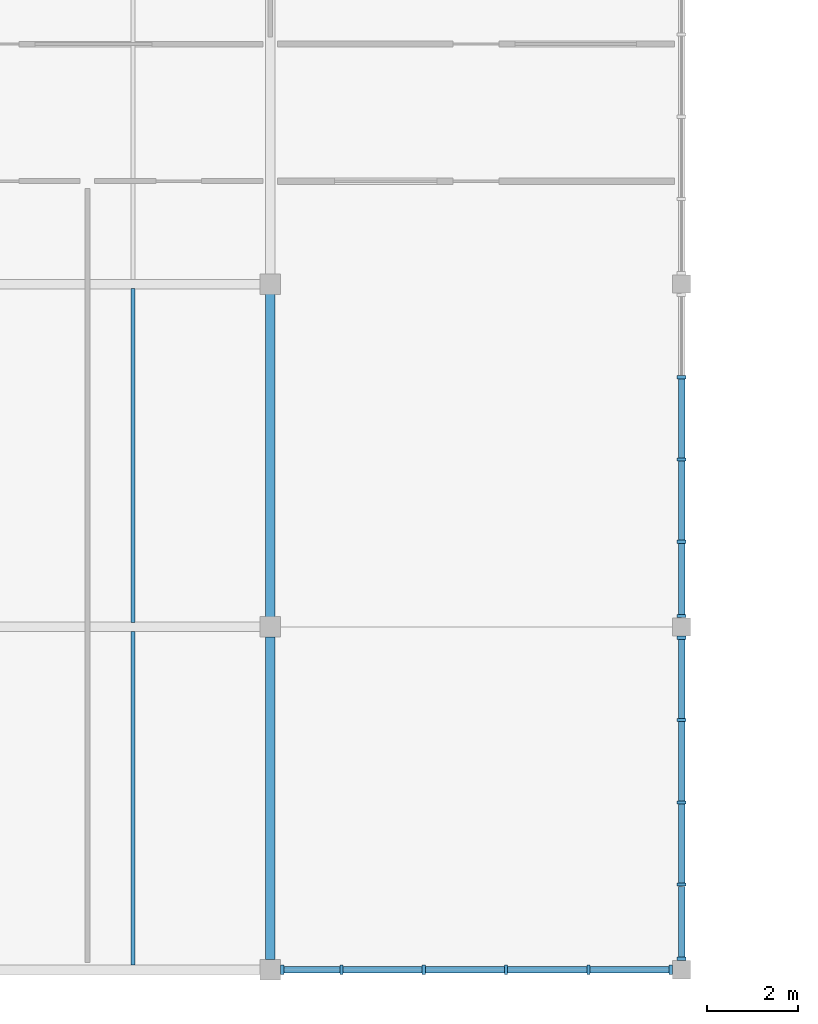
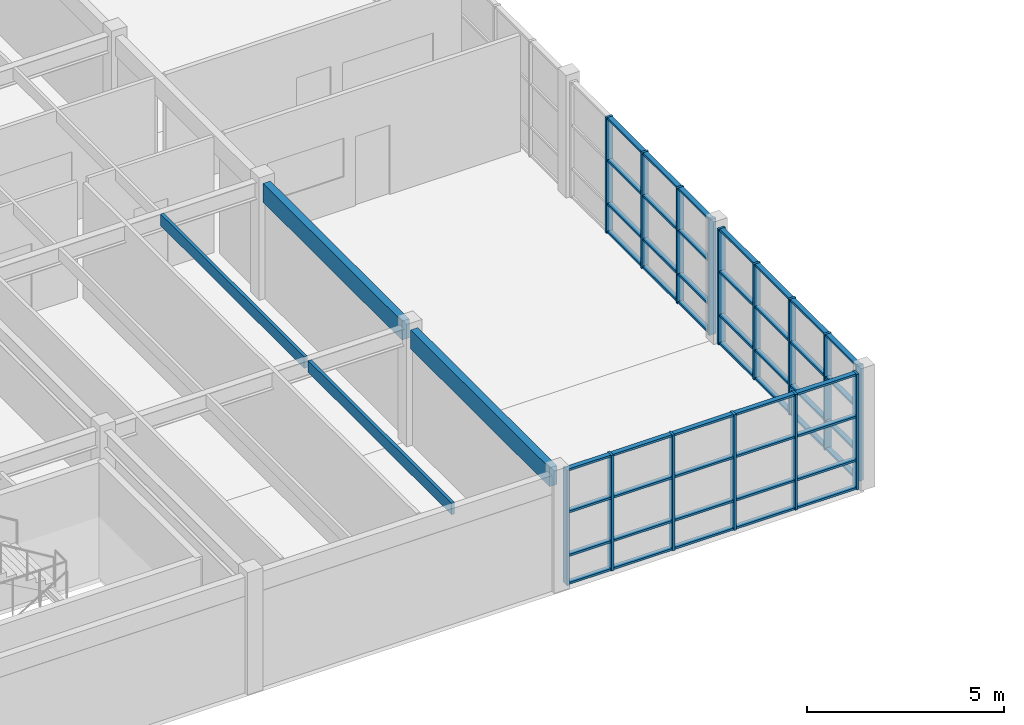
# One storey, part 5 of 45: 63 members, 4 beams, 3 elements without a shape of their own.
"""IFC4 building model written with IfcOpenShell, lengths in metres."""

from ifc_helpers import new_model, si_unit, direction, frame, origin, origin_2d, place, context, subcontext, project, spatial, rectangle, extrude, material, layer, layer_set, material_profile, profile_set, type_object, element, aggregate, save


model = new_model("IFC4")

# Units and contexts
model_context = context("Model", 3, precision=1e-05, world=origin(), true_north=direction((0.0, 1.0)))
body_context = subcontext(model_context, "Body", "Model", "MODEL_VIEW")
ifc_project = project(units=[si_unit("LENGTHUNIT", "METRE"), si_unit("AREAUNIT", "SQUARE_METRE"), si_unit("VOLUMEUNIT", "CUBIC_METRE"), si_unit("PLANEANGLEUNIT", "RADIAN"), si_unit("MASSUNIT", "GRAM", prefix="KILO")], contexts=[model_context])

# Site, building, storey
site_placement = place(None, origin())
site = spatial("IfcSite", under=ifc_project, at=site_placement, CompositionType="ELEMENT")
building_placement = place(site_placement, origin())
building = spatial("IfcBuilding", under=site, at=building_placement, Name="Marnridge Secondary College", CompositionType="ELEMENT")
storey_placement = place(building_placement, frame((0.0, 0.0, 12.300048828125)))
storey = spatial("IfcBuildingStorey", under=building, at=storey_placement, Name="L03", CompositionType="ELEMENT", Elevation=12.300048828125)

# Beams
ifc_material_1 = material(Name="Glulam timber GL18", Category="wood")
ifc_material_profile_1 = material_profile(ifc_material_1, rectangle(XDim=0.215087890625, YDim=0.5849609375, at=origin_2d()), Name="GL18 215x585")
ifc_profile_set_1 = profile_set([ifc_material_profile_1], Name="Glulam timber GL18")
beam_type_1 = type_object("IfcBeamType", Name="BM-GL585-EXT", PredefinedType="SPANDREL", material=ifc_profile_set_1)
for number, where, z_axis, x_axis, name in (
    (1, (36.0, 0.218994140625, 3.29736328125), (0.0, 1.0, 0.0), (-1.0, 0.0, 0.0), "Beam BS-L03-1142"),
    (2, (36.0, 7.718994140625, 3.29736328125), (0.0, 1.0, 0.0), (-1.0, 0.0, 0.0), "Beam BS-L03-1144"),
):
    element("IfcBeam", number, at=place(storey_placement, frame(where, z_axis=z_axis, x_axis=x_axis)), inside=storey, type_object=beam_type_1, Name=name, PredefinedType="SPANDREL", context=body_context, shape_type="SweptSolid", body=[
        extrude(rectangle(XDim=0.215087890625, YDim=0.5849609375, at=origin_2d()), origin(), (0.0, 0.0, 1.0), 7.06201171875),
    ])
ifc_material_2 = material(Name="Engineered timber LVL E13.2", Category="wood")
ifc_material_profile_2 = material_profile(ifc_material_2, rectangle(XDim=0.090087890625, YDim=0.360107421875, at=origin_2d()), Name="LVL 90x360")
ifc_profile_set_2 = profile_set([ifc_material_profile_2], Name="Engineered timber LVL E13.2")
beam_type_2 = type_object("IfcBeamType", Name="BM-LVL360-INT", PredefinedType="JOIST", material=ifc_profile_set_2)
beam_1_placement = place(storey_placement, frame((33.0, 0.1015625, 3.409912109375), z_axis=(0.0, 1.0, 0.0), x_axis=(-1.0, 0.0, 0.0)))
element("IfcBeam", 3, at=beam_1_placement, inside=storey, type_object=beam_type_2, Name="Beam BJ-L03-1176", PredefinedType="JOIST", context=body_context, shape_type="SweptSolid", body=[
    extrude(rectangle(XDim=0.090087890625, YDim=0.360107421875, at=origin_2d()), origin(), (0.0, 0.0, 1.0), 7.300048828125),
])
beam_2_placement = place(storey_placement, frame((33.0, 7.598388671875, 3.409912109375), z_axis=(0.0, 1.0, 0.0), x_axis=(-1.0, 0.0, 0.0)))
element("IfcBeam", 4, at=beam_2_placement, inside=storey, type_object=beam_type_2, Name="Beam BJ-L03-1178", PredefinedType="JOIST", context=body_context, shape_type="SweptSolid", body=[
    extrude(rectangle(XDim=0.090087890625, YDim=0.360107421875, at=origin_2d()), origin(), (0.0, 0.0, 1.0), 7.30322265625),
])

# Curtain wall, members
ifc_material_3 = material(Name="Bronze-anodised aluminium and solar-control glazing", Category="aluminium")
ifc_layer = layer(ifc_material_3, 0.199951171875)
ifc_layer_set = layer_set([ifc_layer], Name="CW-MOD-1800")
curtain_wall_type = type_object("IfcCurtainWallType", Name="CW-MOD-1800", PredefinedType="NOTDEFINED", material=ifc_layer_set)
curtain_wall_1_placement = place(storey_placement, origin())
curtain_wall_1 = element("IfcCurtainWall", 5, at=curtain_wall_1_placement, inside=storey, type_object=curtain_wall_type, Name="Unitised curtain wall CW-L03-132", PredefinedType="NOTDEFINED")
ifc_material_4 = material(Name="Bronze-anodised aluminium 6063-T6", Category="aluminium")
ifc_material_profile_3 = material_profile(ifc_material_4, rectangle(XDim=0.070068359375, YDim=0.199951171875, at=origin_2d()), Name="ALU 70x200")
ifc_profile_set_3 = profile_set([ifc_material_profile_3], Name="Bronze-anodised aluminium 6063-T6")
member_type_1 = type_object("IfcMemberType", Name="CWM-ALU200", PredefinedType="MULLION", material=ifc_profile_set_3)
member_1_placement = place(storey_placement, frame((45.0, 12.9609375, 0.0), z_axis=(0.0, 0.0, 1.0), x_axis=(0.0, -1.0, 0.0)))
member_1 = element("IfcMember", 6, at=member_1_placement, type_object=member_type_1, Name="CW-L03-132 mullion 2", PredefinedType="MULLION", context=body_context, shape_type="SweptSolid", body=[
    extrude(rectangle(XDim=0.070068359375, YDim=0.199951171875, at=origin_2d()), origin(), (0.0, 0.0, 1.0), 3.58984375),
])
member_2_placement = place(storey_placement, frame((45.0, 11.160888671875, 0.0), z_axis=(0.0, 0.0, 1.0), x_axis=(0.0, -1.0, 0.0)))
member_2 = element("IfcMember", 7, at=member_2_placement, type_object=member_type_1, Name="CW-L03-132 mullion 3", PredefinedType="MULLION", context=body_context, shape_type="SweptSolid", body=[
    extrude(rectangle(XDim=0.070068359375, YDim=0.199951171875, at=origin_2d()), origin(), (0.0, 0.0, 1.0), 3.58984375),
])
member_3_placement = place(storey_placement, frame((45.0, 9.361083984375, 0.0), z_axis=(0.0, 0.0, 1.0), x_axis=(0.0, -1.0, 0.0)))
member_3 = element("IfcMember", 8, at=member_3_placement, type_object=member_type_1, Name="CW-L03-132 mullion 4", PredefinedType="MULLION", context=body_context, shape_type="SweptSolid", body=[
    extrude(rectangle(XDim=0.070068359375, YDim=0.199951171875, at=origin_2d()), origin(), (0.0, 0.0, 1.0), 3.58984375),
])
member_4_placement = place(storey_placement, frame((45.0, 7.739013671875, 0.0), z_axis=(0.0, 0.0, 1.0), x_axis=(0.0, -1.0, 0.0)))
member_4 = element("IfcMember", 9, at=member_4_placement, type_object=member_type_1, Name="CW-L03-132 mullion 5", PredefinedType="MULLION", context=body_context, shape_type="SweptSolid", body=[
    extrude(rectangle(XDim=0.070068359375, YDim=0.199951171875, at=origin_2d()), origin(), (0.0, 0.0, 1.0), 3.58984375),
])

curtain_wall_2_placement = place(storey_placement, origin())
curtain_wall_2 = element("IfcCurtainWall", 10, at=curtain_wall_2_placement, inside=storey, type_object=curtain_wall_type, Name="Unitised curtain wall CW-L03-133", PredefinedType="NOTDEFINED")
member_5_placement = place(storey_placement, frame((45.0, 7.260986328125, 0.0), z_axis=(0.0, 0.0, 1.0), x_axis=(0.0, -1.0, 0.0)))
member_5 = element("IfcMember", 11, at=member_5_placement, type_object=member_type_1, Name="CW-L03-133 mullion 1", PredefinedType="MULLION", context=body_context, shape_type="SweptSolid", body=[
    extrude(rectangle(XDim=0.070068359375, YDim=0.199951171875, at=origin_2d()), origin(), (0.0, 0.0, 1.0), 3.58984375),
])
member_6_placement = place(storey_placement, frame((45.0, 5.4609375, 0.0), z_axis=(0.0, 0.0, 1.0), x_axis=(0.0, -1.0, 0.0)))
member_6 = element("IfcMember", 12, at=member_6_placement, type_object=member_type_1, Name="CW-L03-133 mullion 2", PredefinedType="MULLION", context=body_context, shape_type="SweptSolid", body=[
    extrude(rectangle(XDim=0.070068359375, YDim=0.199951171875, at=origin_2d()), origin(), (0.0, 0.0, 1.0), 3.58984375),
])
member_7_placement = place(storey_placement, frame((45.0, 3.660888671875, 0.0), z_axis=(0.0, 0.0, 1.0), x_axis=(0.0, -1.0, 0.0)))
member_7 = element("IfcMember", 13, at=member_7_placement, type_object=member_type_1, Name="CW-L03-133 mullion 3", PredefinedType="MULLION", context=body_context, shape_type="SweptSolid", body=[
    extrude(rectangle(XDim=0.070068359375, YDim=0.199951171875, at=origin_2d()), origin(), (0.0, 0.0, 1.0), 3.58984375),
])
member_8_placement = place(storey_placement, frame((45.0, 1.861083984375, 0.0), z_axis=(0.0, 0.0, 1.0), x_axis=(0.0, -1.0, 0.0)))
member_8 = element("IfcMember", 14, at=member_8_placement, type_object=member_type_1, Name="CW-L03-133 mullion 4", PredefinedType="MULLION", context=body_context, shape_type="SweptSolid", body=[
    extrude(rectangle(XDim=0.070068359375, YDim=0.199951171875, at=origin_2d()), origin(), (0.0, 0.0, 1.0), 3.58984375),
])
member_9_placement = place(storey_placement, frame((45.0, 0.239013671875, 0.0), z_axis=(0.0, 0.0, 1.0), x_axis=(0.0, -1.0, 0.0)))
member_9 = element("IfcMember", 15, at=member_9_placement, type_object=member_type_1, Name="CW-L03-133 mullion 5", PredefinedType="MULLION", context=body_context, shape_type="SweptSolid", body=[
    extrude(rectangle(XDim=0.070068359375, YDim=0.199951171875, at=origin_2d()), origin(), (0.0, 0.0, 1.0), 3.58984375),
])

curtain_wall_3_placement = place(storey_placement, origin())
curtain_wall_3 = element("IfcCurtainWall", 16, at=curtain_wall_3_placement, inside=storey, type_object=curtain_wall_type, Name="Unitised curtain wall CW-L03-134", PredefinedType="NOTDEFINED")
member_10_placement = place(storey_placement, frame((44.760986328125, 0.0, 0.0), z_axis=(0.0, 0.0, 1.0), x_axis=(-1.0, 0.0, 0.0)))
member_10 = element("IfcMember", 17, at=member_10_placement, type_object=member_type_1, Name="CW-L03-134 mullion 1", PredefinedType="MULLION", context=body_context, shape_type="SweptSolid", body=[
    extrude(rectangle(XDim=0.070068359375, YDim=0.199951171875, at=origin_2d()), origin(), (0.0, 0.0, 1.0), 3.58984375),
])
member_11_placement = place(storey_placement, frame((42.9609375, 0.0, 0.0), z_axis=(0.0, 0.0, 1.0), x_axis=(-1.0, 0.0, 0.0)))
member_11 = element("IfcMember", 18, at=member_11_placement, type_object=member_type_1, Name="CW-L03-134 mullion 2", PredefinedType="MULLION", context=body_context, shape_type="SweptSolid", body=[
    extrude(rectangle(XDim=0.070068359375, YDim=0.199951171875, at=origin_2d()), origin(), (0.0, 0.0, 1.0), 3.58984375),
])
member_12_placement = place(storey_placement, frame((41.160888671875, 0.0, 0.0), z_axis=(0.0, 0.0, 1.0), x_axis=(-1.0, 0.0, 0.0)))
member_12 = element("IfcMember", 19, at=member_12_placement, type_object=member_type_1, Name="CW-L03-134 mullion 3", PredefinedType="MULLION", context=body_context, shape_type="SweptSolid", body=[
    extrude(rectangle(XDim=0.070068359375, YDim=0.199951171875, at=origin_2d()), origin(), (0.0, 0.0, 1.0), 3.58984375),
])
member_13_placement = place(storey_placement, frame((39.361083984375, 0.0, 0.0), z_axis=(0.0, 0.0, 1.0), x_axis=(-1.0, 0.0, 0.0)))
member_13 = element("IfcMember", 20, at=member_13_placement, type_object=member_type_1, Name="CW-L03-134 mullion 4", PredefinedType="MULLION", context=body_context, shape_type="SweptSolid", body=[
    extrude(rectangle(XDim=0.070068359375, YDim=0.199951171875, at=origin_2d()), origin(), (0.0, 0.0, 1.0), 3.58984375),
])
member_14_placement = place(storey_placement, frame((37.56103515625, 0.0, 0.0), z_axis=(0.0, 0.0, 1.0), x_axis=(-1.0, 0.0, 0.0)))
member_14 = element("IfcMember", 21, at=member_14_placement, type_object=member_type_1, Name="CW-L03-134 mullion 5", PredefinedType="MULLION", context=body_context, shape_type="SweptSolid", body=[
    extrude(rectangle(XDim=0.070068359375, YDim=0.199951171875, at=origin_2d()), origin(), (0.0, 0.0, 1.0), 3.58984375),
])
member_15_placement = place(storey_placement, frame((36.263916015625, 0.0, 0.0), z_axis=(0.0, 0.0, 1.0), x_axis=(-1.0, 0.0, 0.0)))
member_15 = element("IfcMember", 22, at=member_15_placement, type_object=member_type_1, Name="CW-L03-134 mullion 6", PredefinedType="MULLION", context=body_context, shape_type="SweptSolid", body=[
    extrude(rectangle(XDim=0.070068359375, YDim=0.199951171875, at=origin_2d()), origin(), (0.0, 0.0, 1.0), 3.58984375),
])

# Member
ifc_material_5 = material(Name="Anodised aluminium 6063-T6", Category="aluminium")
ifc_material_profile_4 = material_profile(ifc_material_5, rectangle(XDim=0.06494140625, YDim=0.139892578125, at=origin_2d()), Name="ALU 65x140")
ifc_profile_set_4 = profile_set([ifc_material_profile_4], Name="Anodised aluminium 6063-T6")
member_type_2 = type_object("IfcMemberType", Name="CWT-ALU140", PredefinedType="USERDEFINED", material=ifc_profile_set_4)
member_16_placement = place(storey_placement, frame((45.0, 12.926025390625, 0.032470703125), z_axis=(0.0, -1.0, 0.0), x_axis=(0.0, 0.0, 1.0)))
member_16 = element("IfcMember", 23, at=member_16_placement, type_object=member_type_2, Name="CW-L03-132 transom 2.1", ObjectType="TRANSOM", PredefinedType="USERDEFINED", context=body_context, shape_type="SweptSolid", body=[
    extrude(rectangle(XDim=0.06494140625, YDim=0.139892578125, at=origin_2d()), origin(), (0.0, 0.0, 1.0), 1.72998046875),
])

member_17_placement = place(storey_placement, frame((45.0, 12.926025390625, 0.89990234375), z_axis=(0.0, -1.0, 0.0), x_axis=(0.0, 0.0, 1.0)))
member_17 = element("IfcMember", 24, at=member_17_placement, type_object=member_type_2, Name="CW-L03-132 transom 2.2", ObjectType="TRANSOM", PredefinedType="USERDEFINED", context=body_context, shape_type="SweptSolid", body=[
    extrude(rectangle(XDim=0.06494140625, YDim=0.139892578125, at=origin_2d()), origin(), (0.0, 0.0, 1.0), 1.72998046875),
])

member_18_placement = place(storey_placement, frame((45.0, 12.926025390625, 2.25), z_axis=(0.0, -1.0, 0.0), x_axis=(0.0, 0.0, 1.0)))
member_18 = element("IfcMember", 25, at=member_18_placement, type_object=member_type_2, Name="CW-L03-132 transom 2.3", ObjectType="TRANSOM", PredefinedType="USERDEFINED", context=body_context, shape_type="SweptSolid", body=[
    extrude(rectangle(XDim=0.06494140625, YDim=0.139892578125, at=origin_2d()), origin(), (0.0, 0.0, 1.0), 1.72998046875),
])

member_19_placement = place(storey_placement, frame((45.0, 12.926025390625, 3.557373046875), z_axis=(0.0, -1.0, 0.0), x_axis=(0.0, 0.0, 1.0)))
member_19 = element("IfcMember", 26, at=member_19_placement, type_object=member_type_2, Name="CW-L03-132 transom 2.4", ObjectType="TRANSOM", PredefinedType="USERDEFINED", context=body_context, shape_type="SweptSolid", body=[
    extrude(rectangle(XDim=0.06494140625, YDim=0.139892578125, at=origin_2d()), origin(), (0.0, 0.0, 1.0), 1.72998046875),
])

member_20_placement = place(storey_placement, frame((45.0, 11.1259765625, 0.032470703125), z_axis=(0.0, -1.0, 0.0), x_axis=(0.0, 0.0, 1.0)))
member_20 = element("IfcMember", 27, at=member_20_placement, type_object=member_type_2, Name="CW-L03-132 transom 3.1", ObjectType="TRANSOM", PredefinedType="USERDEFINED", context=body_context, shape_type="SweptSolid", body=[
    extrude(rectangle(XDim=0.06494140625, YDim=0.139892578125, at=origin_2d()), origin(), (0.0, 0.0, 1.0), 1.72998046875),
])

member_21_placement = place(storey_placement, frame((45.0, 11.1259765625, 0.89990234375), z_axis=(0.0, -1.0, 0.0), x_axis=(0.0, 0.0, 1.0)))
member_21 = element("IfcMember", 28, at=member_21_placement, type_object=member_type_2, Name="CW-L03-132 transom 3.2", ObjectType="TRANSOM", PredefinedType="USERDEFINED", context=body_context, shape_type="SweptSolid", body=[
    extrude(rectangle(XDim=0.06494140625, YDim=0.139892578125, at=origin_2d()), origin(), (0.0, 0.0, 1.0), 1.72998046875),
])

member_22_placement = place(storey_placement, frame((45.0, 11.1259765625, 2.25), z_axis=(0.0, -1.0, 0.0), x_axis=(0.0, 0.0, 1.0)))
member_22 = element("IfcMember", 29, at=member_22_placement, type_object=member_type_2, Name="CW-L03-132 transom 3.3", ObjectType="TRANSOM", PredefinedType="USERDEFINED", context=body_context, shape_type="SweptSolid", body=[
    extrude(rectangle(XDim=0.06494140625, YDim=0.139892578125, at=origin_2d()), origin(), (0.0, 0.0, 1.0), 1.72998046875),
])

member_23_placement = place(storey_placement, frame((45.0, 11.1259765625, 3.557373046875), z_axis=(0.0, -1.0, 0.0), x_axis=(0.0, 0.0, 1.0)))
member_23 = element("IfcMember", 30, at=member_23_placement, type_object=member_type_2, Name="CW-L03-132 transom 3.4", ObjectType="TRANSOM", PredefinedType="USERDEFINED", context=body_context, shape_type="SweptSolid", body=[
    extrude(rectangle(XDim=0.06494140625, YDim=0.139892578125, at=origin_2d()), origin(), (0.0, 0.0, 1.0), 1.72998046875),
])

member_24_placement = place(storey_placement, frame((45.0, 9.325927734375, 0.032470703125), z_axis=(0.0, -1.0, 0.0), x_axis=(0.0, 0.0, 1.0)))
member_24 = element("IfcMember", 31, at=member_24_placement, type_object=member_type_2, Name="CW-L03-132 transom 4.1", ObjectType="TRANSOM", PredefinedType="USERDEFINED", context=body_context, shape_type="SweptSolid", body=[
    extrude(rectangle(XDim=0.06494140625, YDim=0.139892578125, at=origin_2d()), origin(), (0.0, 0.0, 1.0), 1.552001953125),
])

member_25_placement = place(storey_placement, frame((45.0, 9.325927734375, 0.89990234375), z_axis=(0.0, -1.0, 0.0), x_axis=(0.0, 0.0, 1.0)))
member_25 = element("IfcMember", 32, at=member_25_placement, type_object=member_type_2, Name="CW-L03-132 transom 4.2", ObjectType="TRANSOM", PredefinedType="USERDEFINED", context=body_context, shape_type="SweptSolid", body=[
    extrude(rectangle(XDim=0.06494140625, YDim=0.139892578125, at=origin_2d()), origin(), (0.0, 0.0, 1.0), 1.552001953125),
])

member_26_placement = place(storey_placement, frame((45.0, 9.325927734375, 2.25), z_axis=(0.0, -1.0, 0.0), x_axis=(0.0, 0.0, 1.0)))
member_26 = element("IfcMember", 33, at=member_26_placement, type_object=member_type_2, Name="CW-L03-132 transom 4.3", ObjectType="TRANSOM", PredefinedType="USERDEFINED", context=body_context, shape_type="SweptSolid", body=[
    extrude(rectangle(XDim=0.06494140625, YDim=0.139892578125, at=origin_2d()), origin(), (0.0, 0.0, 1.0), 1.552001953125),
])

member_27_placement = place(storey_placement, frame((45.0, 9.325927734375, 3.557373046875), z_axis=(0.0, -1.0, 0.0), x_axis=(0.0, 0.0, 1.0)))
member_27 = element("IfcMember", 34, at=member_27_placement, type_object=member_type_2, Name="CW-L03-132 transom 4.4", ObjectType="TRANSOM", PredefinedType="USERDEFINED", context=body_context, shape_type="SweptSolid", body=[
    extrude(rectangle(XDim=0.06494140625, YDim=0.139892578125, at=origin_2d()), origin(), (0.0, 0.0, 1.0), 1.552001953125),
])

aggregate(curtain_wall_1, [member_1, member_2, member_3, member_4, member_16, member_17, member_18, member_19, member_20, member_21, member_22, member_23, member_24, member_25, member_26, member_27])

member_28_placement = place(storey_placement, frame((45.0, 7.22607421875, 0.032470703125), z_axis=(0.0, -1.0, 0.0), x_axis=(0.0, 0.0, 1.0)))
member_28 = element("IfcMember", 35, at=member_28_placement, type_object=member_type_2, Name="CW-L03-133 transom 1.1", ObjectType="TRANSOM", PredefinedType="USERDEFINED", context=body_context, shape_type="SweptSolid", body=[
    extrude(rectangle(XDim=0.06494140625, YDim=0.139892578125, at=origin_2d()), origin(), (0.0, 0.0, 1.0), 1.72998046875),
])

member_29_placement = place(storey_placement, frame((45.0, 7.22607421875, 0.89990234375), z_axis=(0.0, -1.0, 0.0), x_axis=(0.0, 0.0, 1.0)))
member_29 = element("IfcMember", 36, at=member_29_placement, type_object=member_type_2, Name="CW-L03-133 transom 1.2", ObjectType="TRANSOM", PredefinedType="USERDEFINED", context=body_context, shape_type="SweptSolid", body=[
    extrude(rectangle(XDim=0.06494140625, YDim=0.139892578125, at=origin_2d()), origin(), (0.0, 0.0, 1.0), 1.72998046875),
])

member_30_placement = place(storey_placement, frame((45.0, 7.22607421875, 2.25), z_axis=(0.0, -1.0, 0.0), x_axis=(0.0, 0.0, 1.0)))
member_30 = element("IfcMember", 37, at=member_30_placement, type_object=member_type_2, Name="CW-L03-133 transom 1.3", ObjectType="TRANSOM", PredefinedType="USERDEFINED", context=body_context, shape_type="SweptSolid", body=[
    extrude(rectangle(XDim=0.06494140625, YDim=0.139892578125, at=origin_2d()), origin(), (0.0, 0.0, 1.0), 1.72998046875),
])

member_31_placement = place(storey_placement, frame((45.0, 7.22607421875, 3.557373046875), z_axis=(0.0, -1.0, 0.0), x_axis=(0.0, 0.0, 1.0)))
member_31 = element("IfcMember", 38, at=member_31_placement, type_object=member_type_2, Name="CW-L03-133 transom 1.4", ObjectType="TRANSOM", PredefinedType="USERDEFINED", context=body_context, shape_type="SweptSolid", body=[
    extrude(rectangle(XDim=0.06494140625, YDim=0.139892578125, at=origin_2d()), origin(), (0.0, 0.0, 1.0), 1.72998046875),
])

member_32_placement = place(storey_placement, frame((45.0, 5.426025390625, 0.032470703125), z_axis=(0.0, -1.0, 0.0), x_axis=(0.0, 0.0, 1.0)))
member_32 = element("IfcMember", 39, at=member_32_placement, type_object=member_type_2, Name="CW-L03-133 transom 2.1", ObjectType="TRANSOM", PredefinedType="USERDEFINED", context=body_context, shape_type="SweptSolid", body=[
    extrude(rectangle(XDim=0.06494140625, YDim=0.139892578125, at=origin_2d()), origin(), (0.0, 0.0, 1.0), 1.72998046875),
])

member_33_placement = place(storey_placement, frame((45.0, 5.426025390625, 0.89990234375), z_axis=(0.0, -1.0, 0.0), x_axis=(0.0, 0.0, 1.0)))
member_33 = element("IfcMember", 40, at=member_33_placement, type_object=member_type_2, Name="CW-L03-133 transom 2.2", ObjectType="TRANSOM", PredefinedType="USERDEFINED", context=body_context, shape_type="SweptSolid", body=[
    extrude(rectangle(XDim=0.06494140625, YDim=0.139892578125, at=origin_2d()), origin(), (0.0, 0.0, 1.0), 1.72998046875),
])

member_34_placement = place(storey_placement, frame((45.0, 5.426025390625, 2.25), z_axis=(0.0, -1.0, 0.0), x_axis=(0.0, 0.0, 1.0)))
member_34 = element("IfcMember", 41, at=member_34_placement, type_object=member_type_2, Name="CW-L03-133 transom 2.3", ObjectType="TRANSOM", PredefinedType="USERDEFINED", context=body_context, shape_type="SweptSolid", body=[
    extrude(rectangle(XDim=0.06494140625, YDim=0.139892578125, at=origin_2d()), origin(), (0.0, 0.0, 1.0), 1.72998046875),
])

member_35_placement = place(storey_placement, frame((45.0, 5.426025390625, 3.557373046875), z_axis=(0.0, -1.0, 0.0), x_axis=(0.0, 0.0, 1.0)))
member_35 = element("IfcMember", 42, at=member_35_placement, type_object=member_type_2, Name="CW-L03-133 transom 2.4", ObjectType="TRANSOM", PredefinedType="USERDEFINED", context=body_context, shape_type="SweptSolid", body=[
    extrude(rectangle(XDim=0.06494140625, YDim=0.139892578125, at=origin_2d()), origin(), (0.0, 0.0, 1.0), 1.72998046875),
])

member_36_placement = place(storey_placement, frame((45.0, 3.6259765625, 0.032470703125), z_axis=(0.0, -1.0, 0.0), x_axis=(0.0, 0.0, 1.0)))
member_36 = element("IfcMember", 43, at=member_36_placement, type_object=member_type_2, Name="CW-L03-133 transom 3.1", ObjectType="TRANSOM", PredefinedType="USERDEFINED", context=body_context, shape_type="SweptSolid", body=[
    extrude(rectangle(XDim=0.06494140625, YDim=0.139892578125, at=origin_2d()), origin(), (0.0, 0.0, 1.0), 1.72998046875),
])

member_37_placement = place(storey_placement, frame((45.0, 3.6259765625, 0.89990234375), z_axis=(0.0, -1.0, 0.0), x_axis=(0.0, 0.0, 1.0)))
member_37 = element("IfcMember", 44, at=member_37_placement, type_object=member_type_2, Name="CW-L03-133 transom 3.2", ObjectType="TRANSOM", PredefinedType="USERDEFINED", context=body_context, shape_type="SweptSolid", body=[
    extrude(rectangle(XDim=0.06494140625, YDim=0.139892578125, at=origin_2d()), origin(), (0.0, 0.0, 1.0), 1.72998046875),
])

member_38_placement = place(storey_placement, frame((45.0, 3.6259765625, 2.25), z_axis=(0.0, -1.0, 0.0), x_axis=(0.0, 0.0, 1.0)))
member_38 = element("IfcMember", 45, at=member_38_placement, type_object=member_type_2, Name="CW-L03-133 transom 3.3", ObjectType="TRANSOM", PredefinedType="USERDEFINED", context=body_context, shape_type="SweptSolid", body=[
    extrude(rectangle(XDim=0.06494140625, YDim=0.139892578125, at=origin_2d()), origin(), (0.0, 0.0, 1.0), 1.72998046875),
])

member_39_placement = place(storey_placement, frame((45.0, 3.6259765625, 3.557373046875), z_axis=(0.0, -1.0, 0.0), x_axis=(0.0, 0.0, 1.0)))
member_39 = element("IfcMember", 46, at=member_39_placement, type_object=member_type_2, Name="CW-L03-133 transom 3.4", ObjectType="TRANSOM", PredefinedType="USERDEFINED", context=body_context, shape_type="SweptSolid", body=[
    extrude(rectangle(XDim=0.06494140625, YDim=0.139892578125, at=origin_2d()), origin(), (0.0, 0.0, 1.0), 1.72998046875),
])

member_40_placement = place(storey_placement, frame((45.0, 1.825927734375, 0.032470703125), z_axis=(0.0, -1.0, 0.0), x_axis=(0.0, 0.0, 1.0)))
member_40 = element("IfcMember", 47, at=member_40_placement, type_object=member_type_2, Name="CW-L03-133 transom 4.1", ObjectType="TRANSOM", PredefinedType="USERDEFINED", context=body_context, shape_type="SweptSolid", body=[
    extrude(rectangle(XDim=0.06494140625, YDim=0.139892578125, at=origin_2d()), origin(), (0.0, 0.0, 1.0), 1.552001953125),
])

member_41_placement = place(storey_placement, frame((45.0, 1.825927734375, 0.89990234375), z_axis=(0.0, -1.0, 0.0), x_axis=(0.0, 0.0, 1.0)))
member_41 = element("IfcMember", 48, at=member_41_placement, type_object=member_type_2, Name="CW-L03-133 transom 4.2", ObjectType="TRANSOM", PredefinedType="USERDEFINED", context=body_context, shape_type="SweptSolid", body=[
    extrude(rectangle(XDim=0.06494140625, YDim=0.139892578125, at=origin_2d()), origin(), (0.0, 0.0, 1.0), 1.552001953125),
])

member_42_placement = place(storey_placement, frame((45.0, 1.825927734375, 2.25), z_axis=(0.0, -1.0, 0.0), x_axis=(0.0, 0.0, 1.0)))
member_42 = element("IfcMember", 49, at=member_42_placement, type_object=member_type_2, Name="CW-L03-133 transom 4.3", ObjectType="TRANSOM", PredefinedType="USERDEFINED", context=body_context, shape_type="SweptSolid", body=[
    extrude(rectangle(XDim=0.06494140625, YDim=0.139892578125, at=origin_2d()), origin(), (0.0, 0.0, 1.0), 1.552001953125),
])

member_43_placement = place(storey_placement, frame((45.0, 1.825927734375, 3.557373046875), z_axis=(0.0, -1.0, 0.0), x_axis=(0.0, 0.0, 1.0)))
member_43 = element("IfcMember", 50, at=member_43_placement, type_object=member_type_2, Name="CW-L03-133 transom 4.4", ObjectType="TRANSOM", PredefinedType="USERDEFINED", context=body_context, shape_type="SweptSolid", body=[
    extrude(rectangle(XDim=0.06494140625, YDim=0.139892578125, at=origin_2d()), origin(), (0.0, 0.0, 1.0), 1.552001953125),
])

aggregate(curtain_wall_2, [member_5, member_6, member_7, member_8, member_9, member_28, member_29, member_30, member_31, member_32, member_33, member_34, member_35, member_36, member_37, member_38, member_39, member_40, member_41, member_42, member_43])

member_44_placement = place(storey_placement, frame((44.72607421875, 0.0, 0.032470703125), z_axis=(-1.0, 0.0, 0.0), x_axis=(0.0, 0.0, 1.0)))
member_44 = element("IfcMember", 51, at=member_44_placement, type_object=member_type_2, Name="CW-L03-134 transom 1.1", ObjectType="TRANSOM", PredefinedType="USERDEFINED", context=body_context, shape_type="SweptSolid", body=[
    extrude(rectangle(XDim=0.06494140625, YDim=0.139892578125, at=origin_2d()), origin(), (0.0, 0.0, 1.0), 1.72998046875),
])

member_45_placement = place(storey_placement, frame((44.72607421875, 0.0, 0.89990234375), z_axis=(-1.0, 0.0, 0.0), x_axis=(0.0, 0.0, 1.0)))
member_45 = element("IfcMember", 52, at=member_45_placement, type_object=member_type_2, Name="CW-L03-134 transom 1.2", ObjectType="TRANSOM", PredefinedType="USERDEFINED", context=body_context, shape_type="SweptSolid", body=[
    extrude(rectangle(XDim=0.06494140625, YDim=0.139892578125, at=origin_2d()), origin(), (0.0, 0.0, 1.0), 1.72998046875),
])

member_46_placement = place(storey_placement, frame((44.72607421875, 0.0, 2.25), z_axis=(-1.0, 0.0, 0.0), x_axis=(0.0, 0.0, 1.0)))
member_46 = element("IfcMember", 53, at=member_46_placement, type_object=member_type_2, Name="CW-L03-134 transom 1.3", ObjectType="TRANSOM", PredefinedType="USERDEFINED", context=body_context, shape_type="SweptSolid", body=[
    extrude(rectangle(XDim=0.06494140625, YDim=0.139892578125, at=origin_2d()), origin(), (0.0, 0.0, 1.0), 1.72998046875),
])

member_47_placement = place(storey_placement, frame((44.72607421875, 0.0, 3.557373046875), z_axis=(-1.0, 0.0, 0.0), x_axis=(0.0, 0.0, 1.0)))
member_47 = element("IfcMember", 54, at=member_47_placement, type_object=member_type_2, Name="CW-L03-134 transom 1.4", ObjectType="TRANSOM", PredefinedType="USERDEFINED", context=body_context, shape_type="SweptSolid", body=[
    extrude(rectangle(XDim=0.06494140625, YDim=0.139892578125, at=origin_2d()), origin(), (0.0, 0.0, 1.0), 1.72998046875),
])

member_48_placement = place(storey_placement, frame((42.926025390625, 0.0, 0.032470703125), z_axis=(-1.0, 0.0, 0.0), x_axis=(0.0, 0.0, 1.0)))
member_48 = element("IfcMember", 55, at=member_48_placement, type_object=member_type_2, Name="CW-L03-134 transom 2.1", ObjectType="TRANSOM", PredefinedType="USERDEFINED", context=body_context, shape_type="SweptSolid", body=[
    extrude(rectangle(XDim=0.06494140625, YDim=0.139892578125, at=origin_2d()), origin(), (0.0, 0.0, 1.0), 1.72998046875),
])

member_49_placement = place(storey_placement, frame((42.926025390625, 0.0, 0.89990234375), z_axis=(-1.0, 0.0, 0.0), x_axis=(0.0, 0.0, 1.0)))
member_49 = element("IfcMember", 56, at=member_49_placement, type_object=member_type_2, Name="CW-L03-134 transom 2.2", ObjectType="TRANSOM", PredefinedType="USERDEFINED", context=body_context, shape_type="SweptSolid", body=[
    extrude(rectangle(XDim=0.06494140625, YDim=0.139892578125, at=origin_2d()), origin(), (0.0, 0.0, 1.0), 1.72998046875),
])

member_50_placement = place(storey_placement, frame((42.926025390625, 0.0, 2.25), z_axis=(-1.0, 0.0, 0.0), x_axis=(0.0, 0.0, 1.0)))
member_50 = element("IfcMember", 57, at=member_50_placement, type_object=member_type_2, Name="CW-L03-134 transom 2.3", ObjectType="TRANSOM", PredefinedType="USERDEFINED", context=body_context, shape_type="SweptSolid", body=[
    extrude(rectangle(XDim=0.06494140625, YDim=0.139892578125, at=origin_2d()), origin(), (0.0, 0.0, 1.0), 1.72998046875),
])

member_51_placement = place(storey_placement, frame((42.926025390625, 0.0, 3.557373046875), z_axis=(-1.0, 0.0, 0.0), x_axis=(0.0, 0.0, 1.0)))
member_51 = element("IfcMember", 58, at=member_51_placement, type_object=member_type_2, Name="CW-L03-134 transom 2.4", ObjectType="TRANSOM", PredefinedType="USERDEFINED", context=body_context, shape_type="SweptSolid", body=[
    extrude(rectangle(XDim=0.06494140625, YDim=0.139892578125, at=origin_2d()), origin(), (0.0, 0.0, 1.0), 1.72998046875),
])

member_52_placement = place(storey_placement, frame((41.1259765625, 0.0, 0.032470703125), z_axis=(-1.0, 0.0, 0.0), x_axis=(0.0, 0.0, 1.0)))
member_52 = element("IfcMember", 59, at=member_52_placement, type_object=member_type_2, Name="CW-L03-134 transom 3.1", ObjectType="TRANSOM", PredefinedType="USERDEFINED", context=body_context, shape_type="SweptSolid", body=[
    extrude(rectangle(XDim=0.06494140625, YDim=0.139892578125, at=origin_2d()), origin(), (0.0, 0.0, 1.0), 1.72998046875),
])

member_53_placement = place(storey_placement, frame((41.1259765625, 0.0, 0.89990234375), z_axis=(-1.0, 0.0, 0.0), x_axis=(0.0, 0.0, 1.0)))
member_53 = element("IfcMember", 60, at=member_53_placement, type_object=member_type_2, Name="CW-L03-134 transom 3.2", ObjectType="TRANSOM", PredefinedType="USERDEFINED", context=body_context, shape_type="SweptSolid", body=[
    extrude(rectangle(XDim=0.06494140625, YDim=0.139892578125, at=origin_2d()), origin(), (0.0, 0.0, 1.0), 1.72998046875),
])

member_54_placement = place(storey_placement, frame((41.1259765625, 0.0, 2.25), z_axis=(-1.0, 0.0, 0.0), x_axis=(0.0, 0.0, 1.0)))
member_54 = element("IfcMember", 61, at=member_54_placement, type_object=member_type_2, Name="CW-L03-134 transom 3.3", ObjectType="TRANSOM", PredefinedType="USERDEFINED", context=body_context, shape_type="SweptSolid", body=[
    extrude(rectangle(XDim=0.06494140625, YDim=0.139892578125, at=origin_2d()), origin(), (0.0, 0.0, 1.0), 1.72998046875),
])

member_55_placement = place(storey_placement, frame((41.1259765625, 0.0, 3.557373046875), z_axis=(-1.0, 0.0, 0.0), x_axis=(0.0, 0.0, 1.0)))
member_55 = element("IfcMember", 62, at=member_55_placement, type_object=member_type_2, Name="CW-L03-134 transom 3.4", ObjectType="TRANSOM", PredefinedType="USERDEFINED", context=body_context, shape_type="SweptSolid", body=[
    extrude(rectangle(XDim=0.06494140625, YDim=0.139892578125, at=origin_2d()), origin(), (0.0, 0.0, 1.0), 1.72998046875),
])

member_56_placement = place(storey_placement, frame((39.325927734375, 0.0, 0.032470703125), z_axis=(-1.0, 0.0, 0.0), x_axis=(0.0, 0.0, 1.0)))
member_56 = element("IfcMember", 63, at=member_56_placement, type_object=member_type_2, Name="CW-L03-134 transom 4.1", ObjectType="TRANSOM", PredefinedType="USERDEFINED", context=body_context, shape_type="SweptSolid", body=[
    extrude(rectangle(XDim=0.06494140625, YDim=0.139892578125, at=origin_2d()), origin(), (0.0, 0.0, 1.0), 1.72998046875),
])

member_57_placement = place(storey_placement, frame((39.325927734375, 0.0, 0.89990234375), z_axis=(-1.0, 0.0, 0.0), x_axis=(0.0, 0.0, 1.0)))
member_57 = element("IfcMember", 64, at=member_57_placement, type_object=member_type_2, Name="CW-L03-134 transom 4.2", ObjectType="TRANSOM", PredefinedType="USERDEFINED", context=body_context, shape_type="SweptSolid", body=[
    extrude(rectangle(XDim=0.06494140625, YDim=0.139892578125, at=origin_2d()), origin(), (0.0, 0.0, 1.0), 1.72998046875),
])

member_58_placement = place(storey_placement, frame((39.325927734375, 0.0, 2.25), z_axis=(-1.0, 0.0, 0.0), x_axis=(0.0, 0.0, 1.0)))
member_58 = element("IfcMember", 65, at=member_58_placement, type_object=member_type_2, Name="CW-L03-134 transom 4.3", ObjectType="TRANSOM", PredefinedType="USERDEFINED", context=body_context, shape_type="SweptSolid", body=[
    extrude(rectangle(XDim=0.06494140625, YDim=0.139892578125, at=origin_2d()), origin(), (0.0, 0.0, 1.0), 1.72998046875),
])

member_59_placement = place(storey_placement, frame((39.325927734375, 0.0, 3.557373046875), z_axis=(-1.0, 0.0, 0.0), x_axis=(0.0, 0.0, 1.0)))
member_59 = element("IfcMember", 66, at=member_59_placement, type_object=member_type_2, Name="CW-L03-134 transom 4.4", ObjectType="TRANSOM", PredefinedType="USERDEFINED", context=body_context, shape_type="SweptSolid", body=[
    extrude(rectangle(XDim=0.06494140625, YDim=0.139892578125, at=origin_2d()), origin(), (0.0, 0.0, 1.0), 1.72998046875),
])

member_60_placement = place(storey_placement, frame((37.52587890625, 0.0, 0.032470703125), z_axis=(-1.0, 0.0, 0.0), x_axis=(0.0, 0.0, 1.0)))
member_60 = element("IfcMember", 67, at=member_60_placement, type_object=member_type_2, Name="CW-L03-134 transom 5.1", ObjectType="TRANSOM", PredefinedType="USERDEFINED", context=body_context, shape_type="SweptSolid", body=[
    extrude(rectangle(XDim=0.06494140625, YDim=0.139892578125, at=origin_2d()), origin(), (0.0, 0.0, 1.0), 1.226806640625),
])

member_61_placement = place(storey_placement, frame((37.52587890625, 0.0, 0.89990234375), z_axis=(-1.0, 0.0, 0.0), x_axis=(0.0, 0.0, 1.0)))
member_61 = element("IfcMember", 68, at=member_61_placement, type_object=member_type_2, Name="CW-L03-134 transom 5.2", ObjectType="TRANSOM", PredefinedType="USERDEFINED", context=body_context, shape_type="SweptSolid", body=[
    extrude(rectangle(XDim=0.06494140625, YDim=0.139892578125, at=origin_2d()), origin(), (0.0, 0.0, 1.0), 1.226806640625),
])

member_62_placement = place(storey_placement, frame((37.52587890625, 0.0, 2.25), z_axis=(-1.0, 0.0, 0.0), x_axis=(0.0, 0.0, 1.0)))
member_62 = element("IfcMember", 69, at=member_62_placement, type_object=member_type_2, Name="CW-L03-134 transom 5.3", ObjectType="TRANSOM", PredefinedType="USERDEFINED", context=body_context, shape_type="SweptSolid", body=[
    extrude(rectangle(XDim=0.06494140625, YDim=0.139892578125, at=origin_2d()), origin(), (0.0, 0.0, 1.0), 1.226806640625),
])

member_63_placement = place(storey_placement, frame((37.52587890625, 0.0, 3.557373046875), z_axis=(-1.0, 0.0, 0.0), x_axis=(0.0, 0.0, 1.0)))
member_63 = element("IfcMember", 70, at=member_63_placement, type_object=member_type_2, Name="CW-L03-134 transom 5.4", ObjectType="TRANSOM", PredefinedType="USERDEFINED", context=body_context, shape_type="SweptSolid", body=[
    extrude(rectangle(XDim=0.06494140625, YDim=0.139892578125, at=origin_2d()), origin(), (0.0, 0.0, 1.0), 1.226806640625),
])

aggregate(curtain_wall_3, [member_10, member_11, member_12, member_13, member_14, member_15, member_44, member_45, member_46, member_47, member_48, member_49, member_50, member_51, member_52, member_53, member_54, member_55, member_56, member_57, member_58, member_59, member_60, member_61, member_62, member_63])

save(model, "model.ifc")
